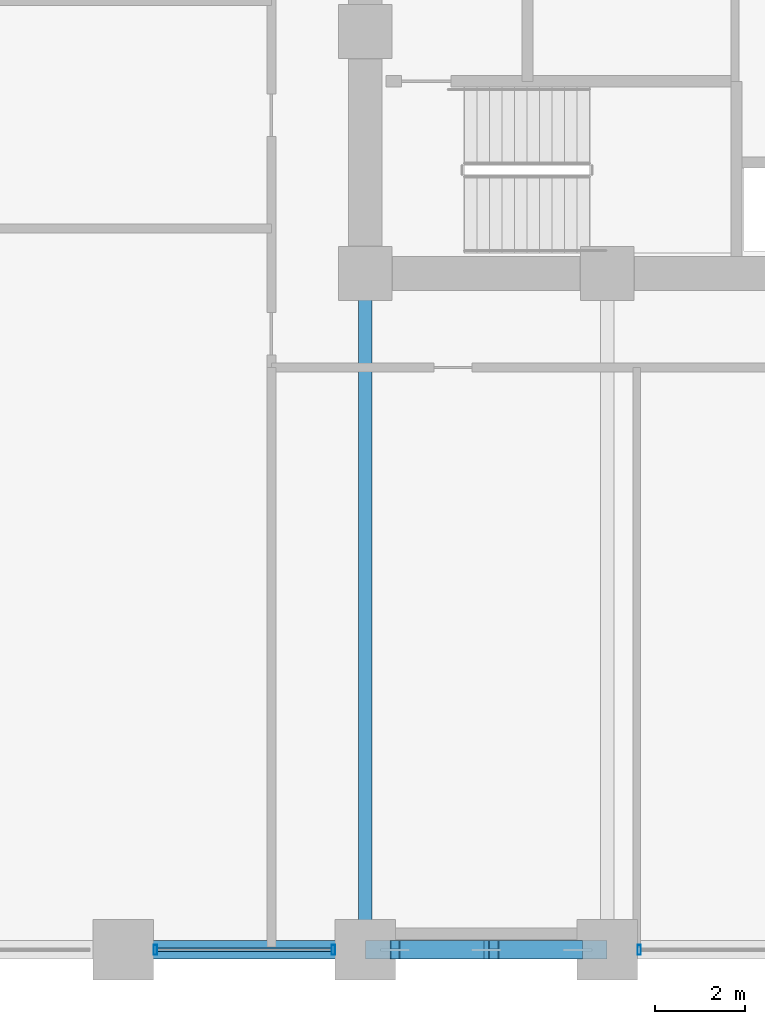
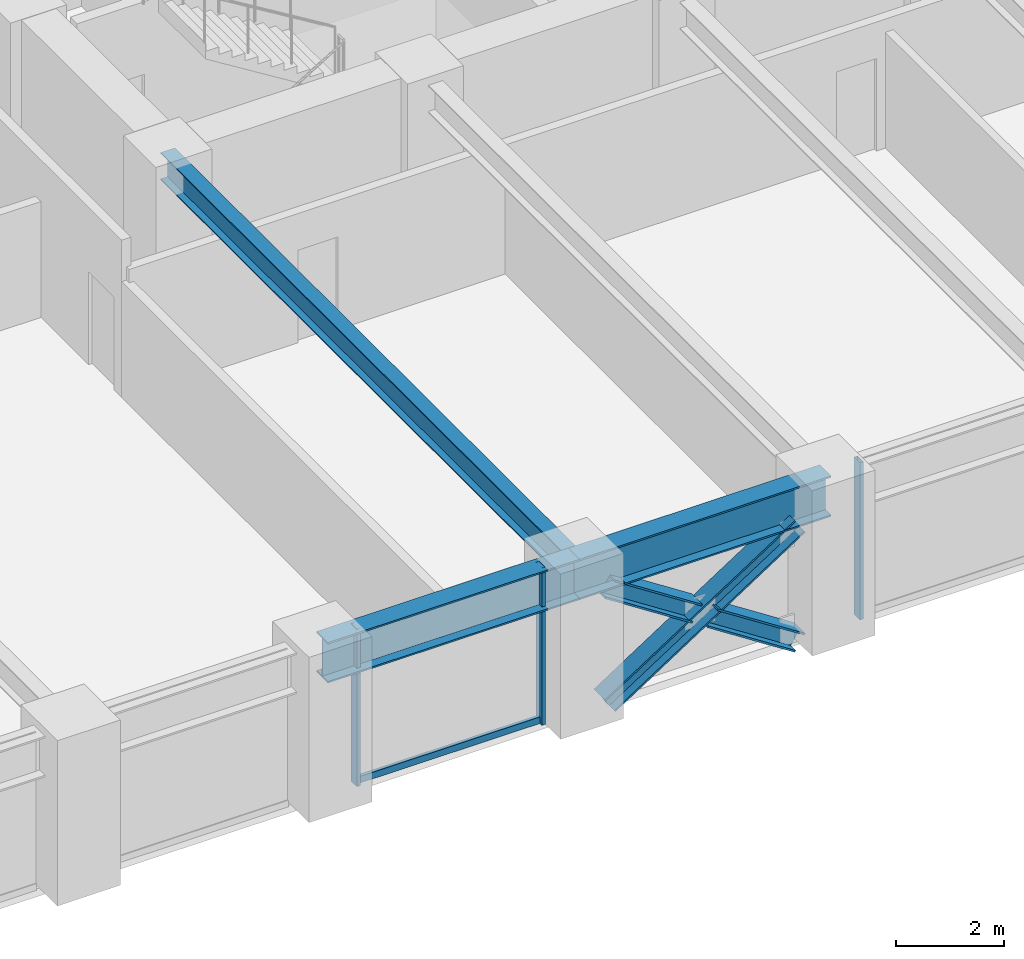
# One storey, part 4 of 24: 7 members, 3 beams, 2 elements without a shape of their own.
"""IFC4 building model written with IfcOpenShell, lengths in metres."""

from ifc_helpers import new_model, si_unit, direction, frame, origin, origin_2d, place, context, subcontext, project, spatial, hollow_rectangle, i_section, extrude, material, layer, layer_set, material_profile, profile_set, type_object, element, aggregate, save


model = new_model("IFC4")

# Units and contexts
model_context = context("Model", 3, precision=1e-05, world=origin(), true_north=direction((0.0, 1.0)))
body_context = subcontext(model_context, "Body", "Model", "MODEL_VIEW")
ifc_project = project(units=[si_unit("LENGTHUNIT", "METRE"), si_unit("AREAUNIT", "SQUARE_METRE"), si_unit("VOLUMEUNIT", "CUBIC_METRE"), si_unit("PLANEANGLEUNIT", "RADIAN"), si_unit("MASSUNIT", "GRAM", prefix="KILO")], contexts=[model_context])

# Site, building, storey
site_placement = place(None, origin())
site = spatial("IfcSite", under=ifc_project, at=site_placement, CompositionType="ELEMENT")
building_placement = place(site_placement, origin())
building = spatial("IfcBuilding", under=site, at=building_placement, Name="Surkhivell Harbour Commons", CompositionType="ELEMENT")
storey_placement = place(building_placement, frame((0.0, 0.0, 30.0)))
storey = spatial("IfcBuildingStorey", under=building, at=storey_placement, Name="L07", CompositionType="ELEMENT", Elevation=30.0)

# Beams
ifc_material_1 = material(Name="Steel S355", Category="steel")
ifc_material_profile_1 = material_profile(ifc_material_1, i_section(OverallWidth=0.306884765625, OverallDepth=0.6201171875, WebThickness=0.01416015625, FlangeThickness=0.023681640625, at=origin_2d()), Name="UB610x305x179")
ifc_profile_set_1 = profile_set([ifc_material_profile_1], Name="Steel S355")
beam_type_1 = type_object("IfcBeamType", Name="BM-GRD-610A", PredefinedType="BEAM", material=ifc_profile_set_1)
beam_1_placement = place(storey_placement, frame((-10.800048828125, -25.89990234375, 3.260009765625), z_axis=(0.0, 1.0, 0.0), x_axis=(-1.0, 0.0, 0.0)))
element("IfcBeam", 1, at=beam_1_placement, inside=storey, type_object=beam_type_1, Name="L07 Floor Girder (-10.8,-25.9)", PredefinedType="BEAM", context=body_context, shape_type="SweptSolid", body=[
    extrude(i_section(OverallWidth=0.306884765625, OverallDepth=0.6201171875, WebThickness=0.01416015625, FlangeThickness=0.023681640625, at=origin_2d()), origin(), (0.0, 0.0, 1.0), 15.099853515625),
])
ifc_material_2 = material(Name="Steel S460", Category="steel")
ifc_material_profile_2 = material_profile(ifc_material_2, i_section(OverallWidth=0.419921875, OverallDepth=0.9208984375, WebThickness=0.021484375, FlangeThickness=0.03662109375, at=origin_2d()), Name="UB914x419x388")
ifc_profile_set_2 = profile_set([ifc_material_profile_2], Name="Steel S460")
beam_type_2 = type_object("IfcBeamType", Name="BM-SPN-914A", PredefinedType="SPANDREL", material=ifc_profile_set_2)
beam_2_placement = place(storey_placement, frame((-16.199951171875, -25.89990234375, 3.109619140625), z_axis=(1.0, 0.0, 0.0), x_axis=(0.0, 1.0, 0.0)))
element("IfcBeam", 2, at=beam_2_placement, inside=storey, type_object=beam_type_2, Name="L07 Tube Spandrel (-16.2,-25.9)", PredefinedType="SPANDREL", context=body_context, shape_type="SweptSolid", body=[
    extrude(i_section(OverallWidth=0.419921875, OverallDepth=0.9208984375, WebThickness=0.021484375, FlangeThickness=0.03662109375, at=origin_2d()), origin(), (0.0, 0.0, 1.0), 5.39990234375),
])
beam_3_placement = place(storey_placement, frame((-10.800048828125, -25.89990234375, 3.109619140625), z_axis=(1.0, 0.0, 0.0), x_axis=(0.0, 1.0, 0.0)))
element("IfcBeam", 3, at=beam_3_placement, inside=storey, type_object=beam_type_2, Name="L07 Tube Spandrel (-10.8,-25.9)", PredefinedType="SPANDREL", context=body_context, shape_type="SweptSolid", body=[
    extrude(i_section(OverallWidth=0.419921875, OverallDepth=0.9208984375, WebThickness=0.021484375, FlangeThickness=0.03662109375, at=origin_2d()), origin(), (0.0, 0.0, 1.0), 5.400146484375),
])

# Curtain wall, members
ifc_material_3 = material(Name="Anodised pale-metal aluminium and insulated glazing", Category="aluminium")
ifc_layer = layer(ifc_material_3, 0.219970703125)
ifc_layer_set = layer_set([ifc_layer], Name="Anodised pale-metal aluminium and insulated glazing")
curtain_wall_type = type_object("IfcCurtainWallType", Name="CW-SYS-Z1", PredefinedType="NOTDEFINED", material=ifc_layer_set)
curtain_wall_1_placement = place(storey_placement, origin())
curtain_wall_1 = element("IfcCurtainWall", 4, at=curtain_wall_1_placement, inside=storey, type_object=curtain_wall_type, Name="L07 Curtain Wall CW-L07-E00S1", PredefinedType="NOTDEFINED")
ifc_material_4 = material(Name="Anodised pale-metal aluminium alloy 6063-T6", Category="aluminium")
ifc_material_profile_3 = material_profile(ifc_material_4, hollow_rectangle(XDim=0.074951171875, YDim=0.219970703125, WallThickness=0.00390625, at=origin_2d()), Name="ALU-MULL-75x220")
ifc_profile_set_3 = profile_set([ifc_material_profile_3], Name="Anodised pale-metal aluminium alloy 6063-T6")
member_type_1 = type_object("IfcMemberType", Name="CWM-220", PredefinedType="MULLION", material=ifc_profile_set_3)
member_1_placement = place(storey_placement, frame((-15.485595703125, -25.89990234375, 0.0), z_axis=(0.0, 0.0, 1.0), x_axis=(1.0, 0.0, 0.0)))
member_1 = element("IfcMember", 5, at=member_1_placement, type_object=member_type_1, Name="CW-Z1 mullion 3", PredefinedType="MULLION", context=body_context, shape_type="SweptSolid", body=[
    extrude(hollow_rectangle(XDim=0.074951171875, YDim=0.219970703125, WallThickness=0.00390625, at=origin_2d()), origin(), (0.0, 0.0, 1.0), 3.570068359375),
])
member_2_placement = place(storey_placement, frame((-11.514404296875, -25.89990234375, 0.0), z_axis=(0.0, 0.0, 1.0), x_axis=(1.0, 0.0, 0.0)))
member_2 = element("IfcMember", 6, at=member_2_placement, type_object=member_type_1, Name="CW-Z1 mullion 4", PredefinedType="MULLION", context=body_context, shape_type="SweptSolid", body=[
    extrude(hollow_rectangle(XDim=0.074951171875, YDim=0.219970703125, WallThickness=0.00390625, at=origin_2d()), origin(), (0.0, 0.0, 1.0), 3.570068359375),
])

# Curtain wall, member
curtain_wall_2_placement = place(storey_placement, origin())
curtain_wall_2 = element("IfcCurtainWall", 7, at=curtain_wall_2_placement, inside=storey, type_object=curtain_wall_type, Name="L07 Curtain Wall CW-L07-E00S2", PredefinedType="NOTDEFINED")
member_3_placement = place(storey_placement, frame((-4.685546875, -25.89990234375, 0.0), z_axis=(0.0, 0.0, 1.0), x_axis=(1.0, 0.0, 0.0)))
member_3 = element("IfcMember", 8, at=member_3_placement, type_object=member_type_1, Name="CW-Z1 mullion 1", PredefinedType="MULLION", context=body_context, shape_type="SweptSolid", body=[
    extrude(hollow_rectangle(XDim=0.074951171875, YDim=0.219970703125, WallThickness=0.00390625, at=origin_2d()), origin(), (0.0, 0.0, 1.0), 3.570068359375),
])
aggregate(curtain_wall_2, [member_3])

# Member
ifc_material_profile_4 = material_profile(ifc_material_4, hollow_rectangle(XDim=0.074951171875, YDim=0.14990234375, WallThickness=0.00341796875, at=origin_2d()), Name="ALU-TRAN-75x150")
ifc_profile_set_4 = profile_set([ifc_material_profile_4], Name="Anodised pale-metal aluminium alloy 6063-T6")
member_type_2 = type_object("IfcMemberType", Name="CWT-150", PredefinedType="USERDEFINED", material=ifc_profile_set_4)
member_4_placement = place(storey_placement, frame((-15.447998046875, -25.89990234375, 0.074951171875), z_axis=(1.0, 0.0, 0.0), x_axis=(0.0, 1.0, 0.0)))
member_4 = element("IfcMember", 9, at=member_4_placement, type_object=member_type_2, Name="CW-Z1 transom 3.1", ObjectType="TRANSOM", PredefinedType="USERDEFINED", context=body_context, shape_type="SweptSolid", body=[
    extrude(hollow_rectangle(XDim=0.074951171875, YDim=0.14990234375, WallThickness=0.00341796875, at=origin_2d()), origin(), (0.0, 0.0, 1.0), 3.89599609375),
])

aggregate(curtain_wall_1, [member_1, member_2, member_4])

# Members
ifc_material_profile_5 = material_profile(ifc_material_2, i_section(OverallWidth=0.406005859375, OverallDepth=0.416015625, WebThickness=0.026611328125, FlangeThickness=0.0390625, at=origin_2d()), Name="HD400x382")
ifc_profile_set_5 = profile_set([ifc_material_profile_5], Name="Steel S460")
member_type_3 = type_object("IfcMemberType", Name="MEM-BRC-HD382", PredefinedType="BRACE", material=ifc_profile_set_5)
member_5_placement = place(storey_placement, frame((-10.139892578125, -25.89990234375, 0.008056640625), z_axis=(0.839088897369, 0.0, 0.543994321949), x_axis=(0.0, 1.0, 0.0)))
element("IfcMember", 10, at=member_5_placement, inside=storey, type_object=member_type_3, Name="L07 Perimeter Mega-Brace MB- 07", PredefinedType="BRACE", context=body_context, shape_type="SweptSolid", body=[
    extrude(i_section(OverallWidth=0.406005859375, OverallDepth=0.416015625, WebThickness=0.026611328125, FlangeThickness=0.0390625, at=origin_2d()), origin(), (0.0, 0.0, 1.0), 4.8623046875),
])
for number, where, z_axis, x_axis, name in (
    (11, (-6.06005859375, -25.89990234375, 0.008056640625), (-0.83908547242, 0.0, 0.543999604756), (0.0, -1.0, 0.0), "L07 Perimeter Mega-Brace MB- 08"),
    (12, (-8.267578125, -25.89990234375, 1.439208984375), (-0.83908547242, 0.0, 0.543999604756), (0.0, -1.0, 0.0), "L07 Perimeter Mega-Brace MB- 09"),
):
    element("IfcMember", number, at=place(storey_placement, frame(where, z_axis=z_axis, x_axis=x_axis)), inside=storey, type_object=member_type_3, Name=name, PredefinedType="BRACE", context=body_context, shape_type="SweptSolid", body=[
        extrude(i_section(OverallWidth=0.406005859375, OverallDepth=0.416015625, WebThickness=0.026611328125, FlangeThickness=0.0390625, at=origin_2d()), origin(), (0.0, 0.0, 1.0), 2.2314453125),
    ])

save(model, "model.ifc")
